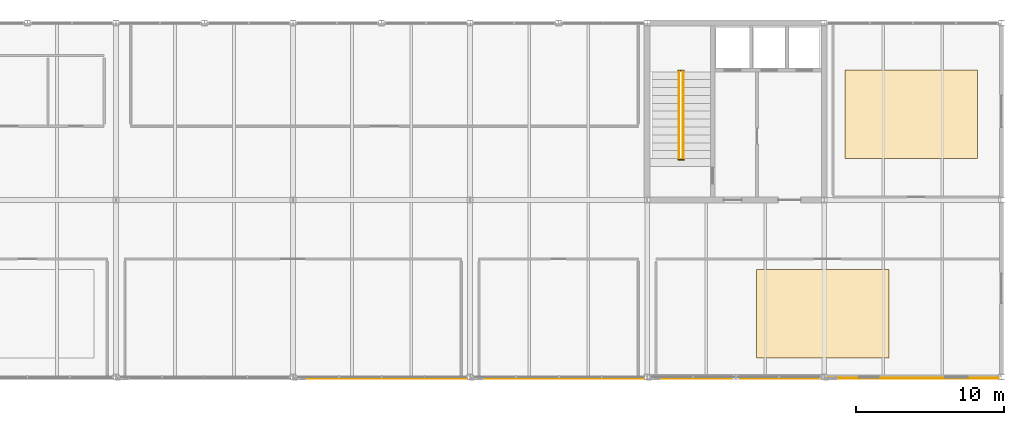
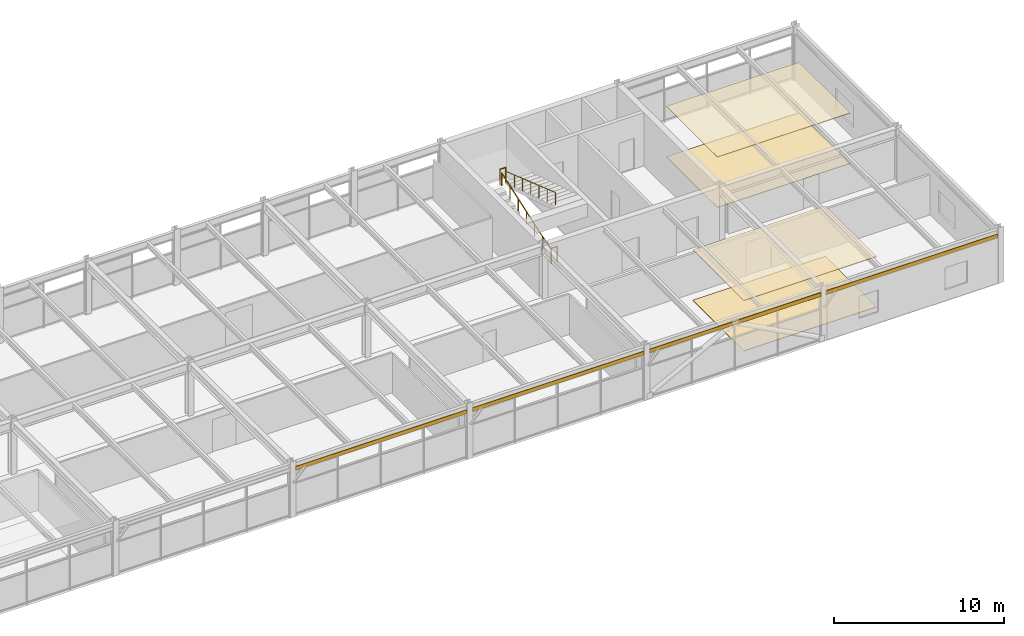
# One storey, part 40 of 40: 4 coverings, 4 railings, 4 shading devices.
"""IFC4 building model written with IfcOpenShell, lengths in metres."""

from ifc_helpers import new_model, si_unit, direction, frame, origin, origin_2d, place, context, subcontext, project, spatial, rectangle, circle, extrude, material, layer, layer_set, type_object, element, save


model = new_model("IFC4")

# Units and contexts
model_context = context("Model", 3, precision=1e-05, world=origin(), true_north=direction((0.0, 1.0)))
body_context = subcontext(model_context, "Body", "Model", "MODEL_VIEW")
ifc_project = project(units=[si_unit("LENGTHUNIT", "METRE"), si_unit("AREAUNIT", "SQUARE_METRE"), si_unit("VOLUMEUNIT", "CUBIC_METRE"), si_unit("PLANEANGLEUNIT", "RADIAN"), si_unit("MASSUNIT", "GRAM", prefix="KILO")], contexts=[model_context])

# Site, building, storey
site_placement = place(None, origin())
site = spatial("IfcSite", under=ifc_project, at=site_placement, CompositionType="ELEMENT")
building_placement = place(site_placement, origin())
building = spatial("IfcBuilding", under=site, at=building_placement, Name="Girod Span Mobility Hub", CompositionType="ELEMENT")
storey_placement = place(building_placement, frame((0.0, 0.0, 53.60009765625)))
storey = spatial("IfcBuildingStorey", under=building, at=storey_placement, Name="L13", CompositionType="ELEMENT", Elevation=53.60009765625)

# Coverings
ifc_material_1 = material(Name="Perforated Mineral-Fibre Acoustic Ceiling Tile", Category="mineral")
ifc_layer_1 = layer(ifc_material_1, 0.044921875)
ifc_layer_set_1 = layer_set([ifc_layer_1], Name="Perforated Mineral-Fibre Acoustic Ceiling Tile")
covering_type_1 = type_object("IfcCoveringType", Name="COV-CLG-900X600", PredefinedType="CEILING", material=ifc_layer_set_1)
for number, where, z_axis, x_axis, name in (
    (1, (119.89990234375, 49.300048828125, 3.60498046875), (0.0, 0.0, 1.0), (1.0, 0.0, 0.0), "Office Suite East L13 Acoustic Ceiling"),
    (2, (125.89990234375, 62.800048828125, 3.60498046875), (0.0, 0.0, 1.0), (1.0, 0.0, 0.0), "Planning Studio North East L13 Acoustic Ceiling"),
):
    element("IfcCovering", number, at=place(storey_placement, frame(where, z_axis=z_axis, x_axis=x_axis)), inside=storey, type_object=covering_type_1, Name=name, PredefinedType="CEILING", context=body_context, shape_type="SweptSolid", body=[
        extrude(rectangle(XDim=9.0, YDim=6.0, at=origin_2d()), origin(), (0.0, 0.0, 1.0), 0.044921875),
    ])
ifc_material_2 = material(Name="Epoxy Terrazzo and Raised Access Flooring", Category="polymer")
ifc_layer_2 = layer(ifc_material_2, 0.030029296875)
ifc_layer_set_2 = layer_set([ifc_layer_2], Name="Epoxy Terrazzo and Raised Access Flooring")
covering_type_2 = type_object("IfcCoveringType", Name="COV-FLR-900X600", PredefinedType="FLOORING", material=ifc_layer_set_2)
for number, where, z_axis, x_axis, name in (
    (3, (119.89990234375, 49.300048828125, 0.0), (0.0, 0.0, 1.0), (1.0, 0.0, 0.0), "Office Suite East L13 Floor Finish"),
    (4, (125.89990234375, 62.800048828125, 0.0), (0.0, 0.0, 1.0), (1.0, 0.0, 0.0), "Planning Studio North East L13 Floor Finish"),
):
    element("IfcCovering", number, at=place(storey_placement, frame(where, z_axis=z_axis, x_axis=x_axis)), inside=storey, type_object=covering_type_2, Name=name, PredefinedType="FLOORING", context=body_context, shape_type="SweptSolid", body=[
        extrude(rectangle(XDim=9.0, YDim=6.0, at=origin_2d()), origin(), (0.0, 0.0, 1.0), 0.030029296875),
    ])

# Railings
ifc_material_3 = material(Name="Painted Galvanised Steel", Category="steel")
ifc_layer_3 = layer(ifc_material_3, 0.06494140625)
ifc_layer_set_3 = layer_set([ifc_layer_3], Name="Painted Galvanised Steel")
railing_type_1 = type_object("IfcRailingType", Name="RL-GRD-1120", PredefinedType="GUARDRAIL", material=ifc_layer_set_3)
for number, where, name in (
    (5, (110.10009765625, 65.77001953125, 2.0), "Stair ST-2 Half-Landing Well Guard L13"),
    (6, (110.10009765625, 59.72998046875, 0.0), "Stair ST-2 Landing Well Guard L13"),
):
    element("IfcRailing", number, at=place(storey_placement, frame(where)), inside=storey, type_object=railing_type_1, Name=name, PredefinedType="GUARDRAIL", context=body_context, shape_type="SweptSolid", body=[
        extrude(circle(Radius=0.02392578125, at=origin_2d()), frame((0.0, 0.0, 1.09619140625), z_axis=(1.0, 0.0, 0.0), x_axis=(0.0, 1.0, 0.0)), (0.0, 0.0, 1.0), 0.39990234375),
        extrude(circle(Radius=0.02099609375, at=origin_2d()), origin(), (0.0, 0.0, 1.0), 1.072021484375),
        extrude(circle(Radius=0.02099609375, at=origin_2d()), frame((0.39990234375, 0.0, 0.0)), (0.0, 0.0, 1.0), 1.072021484375),
    ])
ifc_material_4 = material(Name="Painted Galvanised Steel", Category="steel")
ifc_layer_4 = layer(ifc_material_4, 0.050048828125)
ifc_layer_set_4 = layer_set([ifc_layer_4], Name="Painted Galvanised Steel")
railing_type_2 = type_object("IfcRailingType", Name="RL-HR-920", PredefinedType="HANDRAIL", material=ifc_layer_set_4)
railing_1_placement = place(storey_placement, frame((110.14990234375, 59.860107421875, 0.0)))
element("IfcRailing", 7, at=railing_1_placement, inside=storey, type_object=railing_type_2, Name="Stair ST-2 Flight 1 Handrail L13", PredefinedType="HANDRAIL", context=body_context, shape_type="SweptSolid", body=[
    extrude(circle(Radius=0.02392578125, at=origin_2d()), frame((0.0, 0.0, 0.89599609375), z_axis=(0.0, 0.945021187488, 0.327009105681), x_axis=(-1.0, 0.0, 0.0)), (0.0, 0.0, 1.0), 6.115966796875),
    extrude(circle(Radius=0.02099609375, at=origin_2d()), origin(), (0.0, 0.0, 1.0), 0.871826171875),
    extrude(circle(Radius=0.02099609375, at=origin_2d()), frame((0.0, 0.96337890625, 0.333251953125)), (0.0, 0.0, 1.0), 0.871826171875),
    extrude(circle(Radius=0.02099609375, at=origin_2d()), frame((0.0, 1.926513671875, 0.666748046875)), (0.0, 0.0, 1.0), 0.871826171875),
    extrude(circle(Radius=0.02099609375, at=origin_2d()), frame((0.0, 2.889892578125, 1.0)), (0.0, 0.0, 1.0), 0.871826171875),
    extrude(circle(Radius=0.02099609375, at=origin_2d()), frame((0.0, 3.853271484375, 1.333251953125)), (0.0, 0.0, 1.0), 0.871826171875),
    extrude(circle(Radius=0.02099609375, at=origin_2d()), frame((0.0, 4.81640625, 1.666748046875)), (0.0, 0.0, 1.0), 0.871826171875),
    extrude(circle(Radius=0.02099609375, at=origin_2d()), frame((0.0, 5.77978515625, 2.0)), (0.0, 0.0, 1.0), 0.871826171875),
])
railing_2_placement = place(storey_placement, frame((110.449951171875, 65.639892578125, 2.0)))
element("IfcRailing", 8, at=railing_2_placement, inside=storey, type_object=railing_type_2, Name="Stair ST-2 Flight 2 Handrail L13", PredefinedType="HANDRAIL", context=body_context, shape_type="SweptSolid", body=[
    extrude(circle(Radius=0.02392578125, at=origin_2d()), frame((0.0, 0.0, 0.89599609375), z_axis=(0.0, -0.945021187488, 0.327009105681), x_axis=(1.0, 0.0, 0.0)), (0.0, 0.0, 1.0), 6.115966796875),
    extrude(circle(Radius=0.02099609375, at=origin_2d()), origin(), (0.0, 0.0, 1.0), 0.871826171875),
    extrude(circle(Radius=0.02099609375, at=origin_2d()), frame((0.0, -0.96337890625, 0.333251953125)), (0.0, 0.0, 1.0), 0.871826171875),
    extrude(circle(Radius=0.02099609375, at=origin_2d()), frame((0.0, -1.926513671875, 0.666748046875)), (0.0, 0.0, 1.0), 0.871826171875),
    extrude(circle(Radius=0.02099609375, at=origin_2d()), frame((0.0, -2.889892578125, 1.0)), (0.0, 0.0, 1.0), 0.871826171875),
    extrude(circle(Radius=0.02099609375, at=origin_2d()), frame((0.0, -3.853271484375, 1.333251953125)), (0.0, 0.0, 1.0), 0.871826171875),
    extrude(circle(Radius=0.02099609375, at=origin_2d()), frame((0.0, -4.81640625, 1.666748046875)), (0.0, 0.0, 1.0), 0.871826171875),
    extrude(circle(Radius=0.02099609375, at=origin_2d()), frame((0.0, -5.77978515625, 2.0)), (0.0, 0.0, 1.0), 0.871826171875),
])

# Shading devices
ifc_material_5 = material(Name="Aluminium 6063-T6", Category="aluminium")
ifc_layer_5 = layer(ifc_material_5, 0.0380859375)
ifc_layer_set_5 = layer_set([ifc_layer_5], Name="Aluminium 6063-T6")
shading_device_type = type_object("IfcShadingDeviceType", Name="SHD-SHT-11635X260X38", PredefinedType="SHUTTER", material=ifc_layer_set_5)
for number, where, z_axis, x_axis, name in (
    (9, (90.0, 44.919921875, 3.2509765625), (0.0, 0.0, 1.0), (1.0, 0.0, 0.0), "External Solar Shading Blade 8 L13"),
    (10, (102.0, 44.919921875, 3.2509765625), (0.0, 0.0, 1.0), (1.0, 0.0, 0.0), "External Solar Shading Blade 9 L13"),
    (11, (114.0, 44.919921875, 3.2509765625), (0.0, 0.0, 1.0), (1.0, 0.0, 0.0), "External Solar Shading Blade 10 L13"),
    (12, (126.0, 44.919921875, 3.2509765625), (0.0, 0.0, 1.0), (1.0, 0.0, 0.0), "External Solar Shading Blade 11 L13"),
):
    element("IfcShadingDevice", number, at=place(storey_placement, frame(where, z_axis=z_axis, x_axis=x_axis)), inside=storey, type_object=shading_device_type, Name=name, PredefinedType="SHUTTER", context=body_context, shape_type="SweptSolid", body=[
        extrude(rectangle(XDim=11.635009765625, YDim=0.0380859375, at=origin_2d()), origin(), (0.0, 0.0, 1.0), 0.260009765625),
    ])

save(model, "model.ifc")
